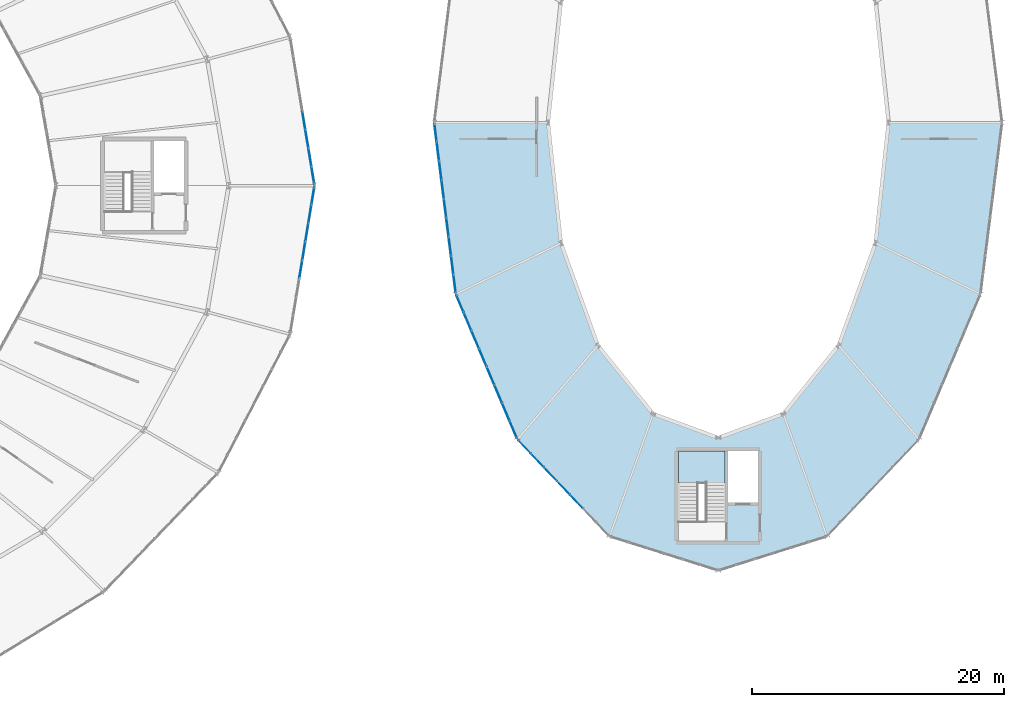
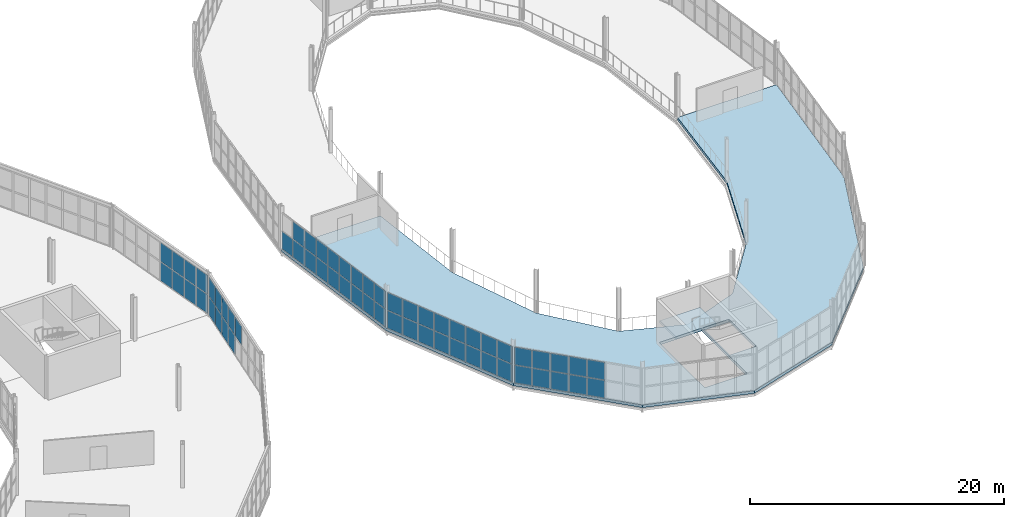
# One storey, part 122 of 161: 60 plates, 2 slabs, 6 elements without a shape of their own.
"""IFC4 building model written with IfcOpenShell, lengths in metres."""

from ifc_helpers import new_model, si_unit, direction, frame, origin, origin_2d, place, context, subcontext, project, spatial, polyline, rectangle, outline, extrude, material, layer, layer_set, type_object, element, aggregate, save


model = new_model("IFC4")

# Units and contexts
model_context = context("Model", 3, precision=1e-05, world=origin(), true_north=direction((0.0, 1.0)))
body_context = subcontext(model_context, "Body", "Model", "MODEL_VIEW")
ifc_project = project(units=[si_unit("LENGTHUNIT", "METRE"), si_unit("AREAUNIT", "SQUARE_METRE"), si_unit("VOLUMEUNIT", "CUBIC_METRE"), si_unit("PLANEANGLEUNIT", "RADIAN"), si_unit("MASSUNIT", "GRAM", prefix="KILO")], contexts=[model_context])

# Site, building, storey
site_placement = place(None, origin())
site = spatial("IfcSite", under=ifc_project, at=site_placement, CompositionType="ELEMENT")
building_placement = place(site_placement, origin())
building = spatial("IfcBuilding", under=site, at=building_placement, Name="Kildeholm Park Wholesale Market", CompositionType="ELEMENT")
storey_placement = place(building_placement, frame((0.0, 0.0, 5.39990234375)))
storey = spatial("IfcBuildingStorey", under=building, at=storey_placement, Name="L01", CompositionType="ELEMENT", Elevation=5.39990234375)

# Curtain wall, plates
ifc_material_1 = material(Name="Anodised aluminium and low-E double-glazed glass", Category="aluminium")
curtain_wall_type = type_object("IfcCurtainWallType", Name="Market hall glazed arcade stick curtain wall CW-01", PredefinedType="NOTDEFINED", material=ifc_material_1)
curtain_wall_1_placement = place(storey_placement, origin())
curtain_wall_1 = element("IfcCurtainWall", 1, at=curtain_wall_1_placement, inside=storey, type_object=curtain_wall_type, Name="Curtain wall CW-V1-OT-00-1 CW-0001", PredefinedType="NOTDEFINED")
ifc_material_2 = material(Name="Double-glazed low-E insulated glass", Category="glass")
ifc_layer_1 = layer(ifc_material_2, 0.028076171875)
ifc_layer_set_1 = layer_set([ifc_layer_1], Name="Double-glazed low-E insulated glass")
plate_type = type_object("IfcPlateType", Name="Curtain-wall panel CWP-1 28 mm", PredefinedType="CURTAIN_PANEL", material=ifc_layer_set_1)
plate_1_placement = place(storey_placement, frame((155.876708984375, 90.287109375, 0.06494140625), z_axis=(0.0, 0.0, 1.0), x_axis=(-0.162702713317, 0.98667513756, 0.0)))
plate_1 = element("IfcPlate", 2, at=plate_1_placement, type_object=plate_type, Name="CW-01 panel 1.1 PLT-0172", PredefinedType="CURTAIN_PANEL", context=body_context, shape_type="SweptSolid", body=[
    extrude(rectangle(XDim=1.384521484375, YDim=0.028076171875, at=origin_2d()), origin(), (0.0, 0.0, 1.0), 1.802490234375),
])
plate_2_placement = place(storey_placement, frame((155.876708984375, 90.287109375, 1.9326171875), z_axis=(0.0, 0.0, 1.0), x_axis=(-0.162702713317, 0.98667513756, 0.0)))
plate_2 = element("IfcPlate", 3, at=plate_2_placement, type_object=plate_type, Name="CW-01 panel 1.2 PLT-0173", PredefinedType="CURTAIN_PANEL", context=body_context, shape_type="SweptSolid", body=[
    extrude(rectangle(XDim=1.384521484375, YDim=0.028076171875, at=origin_2d()), origin(), (0.0, 0.0, 1.0), 1.802490234375),
])
plate_3_placement = place(storey_placement, frame((155.638427734375, 91.7333984375, 0.06494140625), z_axis=(0.0, 0.0, 1.0), x_axis=(-0.162702713317, 0.98667513756, 0.0)))
plate_3 = element("IfcPlate", 4, at=plate_3_placement, type_object=plate_type, Name="CW-01 panel 2.1 PLT-0174", PredefinedType="CURTAIN_PANEL", context=body_context, shape_type="SweptSolid", body=[
    extrude(rectangle(XDim=1.4169921875, YDim=0.028076171875, at=origin_2d()), origin(), (0.0, 0.0, 1.0), 1.802490234375),
])
plate_4_placement = place(storey_placement, frame((155.638427734375, 91.7333984375, 1.9326171875), z_axis=(0.0, 0.0, 1.0), x_axis=(-0.162702713317, 0.98667513756, 0.0)))
plate_4 = element("IfcPlate", 5, at=plate_4_placement, type_object=plate_type, Name="CW-01 panel 2.2 PLT-0175", PredefinedType="CURTAIN_PANEL", context=body_context, shape_type="SweptSolid", body=[
    extrude(rectangle(XDim=1.4169921875, YDim=0.028076171875, at=origin_2d()), origin(), (0.0, 0.0, 1.0), 1.802490234375),
])
plate_5_placement = place(storey_placement, frame((155.397216796875, 93.195556640625, 0.06494140625), z_axis=(0.0, 0.0, 1.0), x_axis=(-0.162702713317, 0.98667513756, 0.0)))
plate_5 = element("IfcPlate", 6, at=plate_5_placement, type_object=plate_type, Name="CW-01 panel 3.1 PLT-0176", PredefinedType="CURTAIN_PANEL", context=body_context, shape_type="SweptSolid", body=[
    extrude(rectangle(XDim=1.4169921875, YDim=0.028076171875, at=origin_2d()), origin(), (0.0, 0.0, 1.0), 1.802490234375),
])
plate_6_placement = place(storey_placement, frame((155.397216796875, 93.195556640625, 1.9326171875), z_axis=(0.0, 0.0, 1.0), x_axis=(-0.162702713317, 0.98667513756, 0.0)))
plate_6 = element("IfcPlate", 7, at=plate_6_placement, type_object=plate_type, Name="CW-01 panel 3.2 PLT-0177", PredefinedType="CURTAIN_PANEL", context=body_context, shape_type="SweptSolid", body=[
    extrude(rectangle(XDim=1.4169921875, YDim=0.028076171875, at=origin_2d()), origin(), (0.0, 0.0, 1.0), 1.802490234375),
])
plate_7_placement = place(storey_placement, frame((155.156005859375, 94.657958984375, 0.06494140625), z_axis=(0.0, 0.0, 1.0), x_axis=(-0.162702713317, 0.98667513756, 0.0)))
plate_7 = element("IfcPlate", 8, at=plate_7_placement, type_object=plate_type, Name="CW-01 panel 4.1 PLT-0178", PredefinedType="CURTAIN_PANEL", context=body_context, shape_type="SweptSolid", body=[
    extrude(rectangle(XDim=1.4169921875, YDim=0.028076171875, at=origin_2d()), origin(), (0.0, 0.0, 1.0), 1.802490234375),
])
plate_8_placement = place(storey_placement, frame((155.156005859375, 94.657958984375, 1.9326171875), z_axis=(0.0, 0.0, 1.0), x_axis=(-0.162702713317, 0.98667513756, 0.0)))
plate_8 = element("IfcPlate", 9, at=plate_8_placement, type_object=plate_type, Name="CW-01 panel 4.2 PLT-0179", PredefinedType="CURTAIN_PANEL", context=body_context, shape_type="SweptSolid", body=[
    extrude(rectangle(XDim=1.4169921875, YDim=0.028076171875, at=origin_2d()), origin(), (0.0, 0.0, 1.0), 1.802490234375),
])
aggregate(curtain_wall_1, [plate_1, plate_2, plate_3, plate_4, plate_5, plate_6, plate_7, plate_8])

curtain_wall_2_placement = place(storey_placement, origin())
curtain_wall_2 = element("IfcCurtainWall", 10, at=curtain_wall_2_placement, inside=storey, type_object=curtain_wall_type, Name="Curtain wall CW-V1-OT-23-1 CW-0114", PredefinedType="NOTDEFINED")
plate_9_placement = place(storey_placement, frame((154.9150390625, 82.8798828125, 1.9326171875), z_axis=(0.0, 0.0, 1.0), x_axis=(0.162702713317, 0.98667513756, 0.0)))
plate_9 = element("IfcPlate", 11, at=plate_9_placement, type_object=plate_type, Name="CW-01 panel 4.2 PLT-1687", PredefinedType="CURTAIN_PANEL", context=body_context, shape_type="SweptSolid", body=[
    extrude(rectangle(XDim=1.4169921875, YDim=0.028076171875, at=origin_2d()), origin(), (0.0, 0.0, 1.0), 1.802490234375),
])
plate_10_placement = place(storey_placement, frame((155.156005859375, 84.342041015625, 0.06494140625), z_axis=(0.0, 0.0, 1.0), x_axis=(0.162702713317, 0.98667513756, 0.0)))
plate_10 = element("IfcPlate", 12, at=plate_10_placement, type_object=plate_type, Name="CW-01 panel 5.1 PLT-1688", PredefinedType="CURTAIN_PANEL", context=body_context, shape_type="SweptSolid", body=[
    extrude(rectangle(XDim=1.4169921875, YDim=0.028076171875, at=origin_2d()), origin(), (0.0, 0.0, 1.0), 1.802490234375),
])
plate_11_placement = place(storey_placement, frame((155.156005859375, 84.342041015625, 1.9326171875), z_axis=(0.0, 0.0, 1.0), x_axis=(0.162702713317, 0.98667513756, 0.0)))
plate_11 = element("IfcPlate", 13, at=plate_11_placement, type_object=plate_type, Name="CW-01 panel 5.2 PLT-1689", PredefinedType="CURTAIN_PANEL", context=body_context, shape_type="SweptSolid", body=[
    extrude(rectangle(XDim=1.4169921875, YDim=0.028076171875, at=origin_2d()), origin(), (0.0, 0.0, 1.0), 1.802490234375),
])
plate_12_placement = place(storey_placement, frame((155.397216796875, 85.804443359375, 0.06494140625), z_axis=(0.0, 0.0, 1.0), x_axis=(0.162702713317, 0.98667513756, 0.0)))
plate_12 = element("IfcPlate", 14, at=plate_12_placement, type_object=plate_type, Name="CW-01 panel 6.1 PLT-1690", PredefinedType="CURTAIN_PANEL", context=body_context, shape_type="SweptSolid", body=[
    extrude(rectangle(XDim=1.4169921875, YDim=0.028076171875, at=origin_2d()), origin(), (0.0, 0.0, 1.0), 1.802490234375),
])
plate_13_placement = place(storey_placement, frame((155.397216796875, 85.804443359375, 1.9326171875), z_axis=(0.0, 0.0, 1.0), x_axis=(0.162702713317, 0.98667513756, 0.0)))
plate_13 = element("IfcPlate", 15, at=plate_13_placement, type_object=plate_type, Name="CW-01 panel 6.2 PLT-1691", PredefinedType="CURTAIN_PANEL", context=body_context, shape_type="SweptSolid", body=[
    extrude(rectangle(XDim=1.4169921875, YDim=0.028076171875, at=origin_2d()), origin(), (0.0, 0.0, 1.0), 1.802490234375),
])
plate_14_placement = place(storey_placement, frame((155.638427734375, 87.2666015625, 0.06494140625), z_axis=(0.0, 0.0, 1.0), x_axis=(0.162702713317, 0.98667513756, 0.0)))
plate_14 = element("IfcPlate", 16, at=plate_14_placement, type_object=plate_type, Name="CW-01 panel 7.1 PLT-1692", PredefinedType="CURTAIN_PANEL", context=body_context, shape_type="SweptSolid", body=[
    extrude(rectangle(XDim=1.4169921875, YDim=0.028076171875, at=origin_2d()), origin(), (0.0, 0.0, 1.0), 1.802490234375),
])
plate_15_placement = place(storey_placement, frame((155.638427734375, 87.2666015625, 1.9326171875), z_axis=(0.0, 0.0, 1.0), x_axis=(0.162702713317, 0.98667513756, 0.0)))
plate_15 = element("IfcPlate", 17, at=plate_15_placement, type_object=plate_type, Name="CW-01 panel 7.2 PLT-1693", PredefinedType="CURTAIN_PANEL", context=body_context, shape_type="SweptSolid", body=[
    extrude(rectangle(XDim=1.4169921875, YDim=0.028076171875, at=origin_2d()), origin(), (0.0, 0.0, 1.0), 1.802490234375),
])
plate_16_placement = place(storey_placement, frame((155.876708984375, 88.712890625, 0.06494140625), z_axis=(0.0, 0.0, 1.0), x_axis=(0.162702713317, 0.98667513756, 0.0)))
plate_16 = element("IfcPlate", 18, at=plate_16_placement, type_object=plate_type, Name="CW-01 panel 8.1 PLT-1694", PredefinedType="CURTAIN_PANEL", context=body_context, shape_type="SweptSolid", body=[
    extrude(rectangle(XDim=1.384521484375, YDim=0.028076171875, at=origin_2d()), origin(), (0.0, 0.0, 1.0), 1.802490234375),
])
plate_17_placement = place(storey_placement, frame((155.876708984375, 88.712890625, 1.9326171875), z_axis=(0.0, 0.0, 1.0), x_axis=(0.162702713317, 0.98667513756, 0.0)))
plate_17 = element("IfcPlate", 19, at=plate_17_placement, type_object=plate_type, Name="CW-01 panel 8.2 PLT-1695", PredefinedType="CURTAIN_PANEL", context=body_context, shape_type="SweptSolid", body=[
    extrude(rectangle(XDim=1.384521484375, YDim=0.028076171875, at=origin_2d()), origin(), (0.0, 0.0, 1.0), 1.802490234375),
])
aggregate(curtain_wall_2, [plate_9, plate_10, plate_11, plate_12, plate_13, plate_14, plate_15, plate_16, plate_17])

curtain_wall_3_placement = place(storey_placement, origin())
curtain_wall_3 = element("IfcCurtainWall", 20, at=curtain_wall_3_placement, inside=storey, type_object=curtain_wall_type, Name="Curtain wall CW-V2-L01-08 CW-0127", PredefinedType="NOTDEFINED")
plate_18_placement = place(storey_placement, frame((165.5966796875, 93.6923828125, 0.06494140625), z_axis=(0.0, 0.0, 1.0), x_axis=(0.12509240377, -0.992145095497, 0.0)))
plate_18 = element("IfcPlate", 21, at=plate_18_placement, type_object=plate_type, Name="CW-01 panel 1.1 PLT-1860", PredefinedType="CURTAIN_PANEL", context=body_context, shape_type="SweptSolid", body=[
    extrude(rectangle(XDim=1.4150390625, YDim=0.028076171875, at=origin_2d()), origin(), (0.0, 0.0, 1.0), 1.677490234375),
])
plate_19_placement = place(storey_placement, frame((165.783935546875, 92.207763671875, 0.06494140625), z_axis=(0.0, 0.0, 1.0), x_axis=(0.12509240377, -0.992145095497, 0.0)))
plate_19 = element("IfcPlate", 22, at=plate_19_placement, type_object=plate_type, Name="CW-01 panel 2.1 PLT-1862", PredefinedType="CURTAIN_PANEL", context=body_context, shape_type="SweptSolid", body=[
    extrude(rectangle(XDim=1.44775390625, YDim=0.028076171875, at=origin_2d()), origin(), (0.0, 0.0, 1.0), 1.677490234375),
])
plate_20_placement = place(storey_placement, frame((165.783935546875, 92.207763671875, 1.8076171875), z_axis=(0.0, 0.0, 1.0), x_axis=(0.12509240377, -0.992145095497, 0.0)))
plate_20 = element("IfcPlate", 23, at=plate_20_placement, type_object=plate_type, Name="CW-01 panel 2.2 PLT-1863", PredefinedType="CURTAIN_PANEL", context=body_context, shape_type="SweptSolid", body=[
    extrude(rectangle(XDim=1.44775390625, YDim=0.028076171875, at=origin_2d()), origin(), (0.0, 0.0, 1.0), 1.677490234375),
])
plate_21_placement = place(storey_placement, frame((165.97314453125, 90.70703125, 0.06494140625), z_axis=(0.0, 0.0, 1.0), x_axis=(0.12509240377, -0.992145095497, 0.0)))
plate_21 = element("IfcPlate", 24, at=plate_21_placement, type_object=plate_type, Name="CW-01 panel 3.1 PLT-1864", PredefinedType="CURTAIN_PANEL", context=body_context, shape_type="SweptSolid", body=[
    extrude(rectangle(XDim=1.44775390625, YDim=0.028076171875, at=origin_2d()), origin(), (0.0, 0.0, 1.0), 1.677490234375),
])
plate_22_placement = place(storey_placement, frame((165.97314453125, 90.70703125, 1.8076171875), z_axis=(0.0, 0.0, 1.0), x_axis=(0.12509240377, -0.992145095497, 0.0)))
plate_22 = element("IfcPlate", 25, at=plate_22_placement, type_object=plate_type, Name="CW-01 panel 3.2 PLT-1865", PredefinedType="CURTAIN_PANEL", context=body_context, shape_type="SweptSolid", body=[
    extrude(rectangle(XDim=1.44775390625, YDim=0.028076171875, at=origin_2d()), origin(), (0.0, 0.0, 1.0), 1.677490234375),
])
plate_23_placement = place(storey_placement, frame((166.162353515625, 89.206298828125, 0.06494140625), z_axis=(0.0, 0.0, 1.0), x_axis=(0.12509240377, -0.992145095497, 0.0)))
plate_23 = element("IfcPlate", 26, at=plate_23_placement, type_object=plate_type, Name="CW-01 panel 4.1 PLT-1866", PredefinedType="CURTAIN_PANEL", context=body_context, shape_type="SweptSolid", body=[
    extrude(rectangle(XDim=1.44775390625, YDim=0.028076171875, at=origin_2d()), origin(), (0.0, 0.0, 1.0), 1.677490234375),
])
plate_24_placement = place(storey_placement, frame((166.162353515625, 89.206298828125, 1.8076171875), z_axis=(0.0, 0.0, 1.0), x_axis=(0.12509240377, -0.992145095497, 0.0)))
plate_24 = element("IfcPlate", 27, at=plate_24_placement, type_object=plate_type, Name="CW-01 panel 4.2 PLT-1867", PredefinedType="CURTAIN_PANEL", context=body_context, shape_type="SweptSolid", body=[
    extrude(rectangle(XDim=1.44775390625, YDim=0.028076171875, at=origin_2d()), origin(), (0.0, 0.0, 1.0), 1.677490234375),
])
plate_25_placement = place(storey_placement, frame((166.3515625, 87.70556640625, 0.06494140625), z_axis=(0.0, 0.0, 1.0), x_axis=(0.12509240377, -0.992145095497, 0.0)))
plate_25 = element("IfcPlate", 28, at=plate_25_placement, type_object=plate_type, Name="CW-01 panel 5.1 PLT-1868", PredefinedType="CURTAIN_PANEL", context=body_context, shape_type="SweptSolid", body=[
    extrude(rectangle(XDim=1.44775390625, YDim=0.028076171875, at=origin_2d()), origin(), (0.0, 0.0, 1.0), 1.677490234375),
])
plate_26_placement = place(storey_placement, frame((166.3515625, 87.70556640625, 1.8076171875), z_axis=(0.0, 0.0, 1.0), x_axis=(0.12509240377, -0.992145095497, 0.0)))
plate_26 = element("IfcPlate", 29, at=plate_26_placement, type_object=plate_type, Name="CW-01 panel 5.2 PLT-1869", PredefinedType="CURTAIN_PANEL", context=body_context, shape_type="SweptSolid", body=[
    extrude(rectangle(XDim=1.44775390625, YDim=0.028076171875, at=origin_2d()), origin(), (0.0, 0.0, 1.0), 1.677490234375),
])
plate_27_placement = place(storey_placement, frame((166.540771484375, 86.204833984375, 0.06494140625), z_axis=(0.0, 0.0, 1.0), x_axis=(0.12509240377, -0.992145095497, 0.0)))
plate_27 = element("IfcPlate", 30, at=plate_27_placement, type_object=plate_type, Name="CW-01 panel 6.1 PLT-1870", PredefinedType="CURTAIN_PANEL", context=body_context, shape_type="SweptSolid", body=[
    extrude(rectangle(XDim=1.44775390625, YDim=0.028076171875, at=origin_2d()), origin(), (0.0, 0.0, 1.0), 1.677490234375),
])
plate_28_placement = place(storey_placement, frame((166.540771484375, 86.204833984375, 1.8076171875), z_axis=(0.0, 0.0, 1.0), x_axis=(0.12509240377, -0.992145095497, 0.0)))
plate_28 = element("IfcPlate", 31, at=plate_28_placement, type_object=plate_type, Name="CW-01 panel 6.2 PLT-1871", PredefinedType="CURTAIN_PANEL", context=body_context, shape_type="SweptSolid", body=[
    extrude(rectangle(XDim=1.44775390625, YDim=0.028076171875, at=origin_2d()), origin(), (0.0, 0.0, 1.0), 1.677490234375),
])
plate_29_placement = place(storey_placement, frame((166.72998046875, 84.703857421875, 0.06494140625), z_axis=(0.0, 0.0, 1.0), x_axis=(0.12509240377, -0.992145095497, 0.0)))
plate_29 = element("IfcPlate", 32, at=plate_29_placement, type_object=plate_type, Name="CW-01 panel 7.1 PLT-1872", PredefinedType="CURTAIN_PANEL", context=body_context, shape_type="SweptSolid", body=[
    extrude(rectangle(XDim=1.44775390625, YDim=0.028076171875, at=origin_2d()), origin(), (0.0, 0.0, 1.0), 1.677490234375),
])
plate_30_placement = place(storey_placement, frame((166.72998046875, 84.703857421875, 1.8076171875), z_axis=(0.0, 0.0, 1.0), x_axis=(0.12509240377, -0.992145095497, 0.0)))
plate_30 = element("IfcPlate", 33, at=plate_30_placement, type_object=plate_type, Name="CW-01 panel 7.2 PLT-1873", PredefinedType="CURTAIN_PANEL", context=body_context, shape_type="SweptSolid", body=[
    extrude(rectangle(XDim=1.44775390625, YDim=0.028076171875, at=origin_2d()), origin(), (0.0, 0.0, 1.0), 1.677490234375),
])
plate_31_placement = place(storey_placement, frame((166.919189453125, 83.203125, 0.06494140625), z_axis=(0.0, 0.0, 1.0), x_axis=(0.12509240377, -0.992145095497, 0.0)))
plate_31 = element("IfcPlate", 34, at=plate_31_placement, type_object=plate_type, Name="CW-01 panel 8.1 PLT-1874", PredefinedType="CURTAIN_PANEL", context=body_context, shape_type="SweptSolid", body=[
    extrude(rectangle(XDim=1.44775390625, YDim=0.028076171875, at=origin_2d()), origin(), (0.0, 0.0, 1.0), 1.677490234375),
])
plate_32_placement = place(storey_placement, frame((166.919189453125, 83.203125, 1.8076171875), z_axis=(0.0, 0.0, 1.0), x_axis=(0.12509240377, -0.992145095497, 0.0)))
plate_32 = element("IfcPlate", 35, at=plate_32_placement, type_object=plate_type, Name="CW-01 panel 8.2 PLT-1875", PredefinedType="CURTAIN_PANEL", context=body_context, shape_type="SweptSolid", body=[
    extrude(rectangle(XDim=1.44775390625, YDim=0.028076171875, at=origin_2d()), origin(), (0.0, 0.0, 1.0), 1.677490234375),
])
plate_33_placement = place(storey_placement, frame((167.1064453125, 81.718505859375, 0.06494140625), z_axis=(0.0, 0.0, 1.0), x_axis=(0.12509240377, -0.992145095497, 0.0)))
plate_33 = element("IfcPlate", 36, at=plate_33_placement, type_object=plate_type, Name="CW-01 panel 9.1 PLT-1876", PredefinedType="CURTAIN_PANEL", context=body_context, shape_type="SweptSolid", body=[
    extrude(rectangle(XDim=1.4150390625, YDim=0.028076171875, at=origin_2d()), origin(), (0.0, 0.0, 1.0), 1.677490234375),
])
plate_34_placement = place(storey_placement, frame((167.1064453125, 81.718505859375, 1.8076171875), z_axis=(0.0, 0.0, 1.0), x_axis=(0.12509240377, -0.992145095497, 0.0)))
plate_34 = element("IfcPlate", 37, at=plate_34_placement, type_object=plate_type, Name="CW-01 panel 9.2 PLT-1877", PredefinedType="CURTAIN_PANEL", context=body_context, shape_type="SweptSolid", body=[
    extrude(rectangle(XDim=1.4150390625, YDim=0.028076171875, at=origin_2d()), origin(), (0.0, 0.0, 1.0), 1.677490234375),
])
aggregate(curtain_wall_3, [plate_18, plate_19, plate_20, plate_21, plate_22, plate_23, plate_24, plate_25, plate_26, plate_27, plate_28, plate_29, plate_30, plate_31, plate_32, plate_33, plate_34])

curtain_wall_4_placement = place(storey_placement, origin())
curtain_wall_4 = element("IfcCurtainWall", 38, at=curtain_wall_4_placement, inside=storey, type_object=curtain_wall_type, Name="Curtain wall CW-V2-L01-09 CW-0128", PredefinedType="NOTDEFINED")
plate_35_placement = place(storey_placement, frame((167.533203125, 80.143798828125, 0.06494140625), z_axis=(0.0, 0.0, 1.0), x_axis=(0.389905076002, -0.920855054668, 0.0)))
plate_35 = element("IfcPlate", 39, at=plate_35_placement, type_object=plate_type, Name="CW-01 panel 1.1 PLT-1878", PredefinedType="CURTAIN_PANEL", context=body_context, shape_type="SweptSolid", body=[
    extrude(rectangle(XDim=1.4560546875, YDim=0.028076171875, at=origin_2d()), origin(), (0.0, 0.0, 1.0), 1.677490234375),
])
plate_36_placement = place(storey_placement, frame((167.533203125, 80.143798828125, 1.8076171875), z_axis=(0.0, 0.0, 1.0), x_axis=(0.389905076002, -0.920855054668, 0.0)))
plate_36 = element("IfcPlate", 40, at=plate_36_placement, type_object=plate_type, Name="CW-01 panel 1.2 PLT-1879", PredefinedType="CURTAIN_PANEL", context=body_context, shape_type="SweptSolid", body=[
    extrude(rectangle(XDim=1.4560546875, YDim=0.028076171875, at=origin_2d()), origin(), (0.0, 0.0, 1.0), 1.677490234375),
])
plate_37_placement = place(storey_placement, frame((168.132568359375, 78.72802734375, 0.06494140625), z_axis=(0.0, 0.0, 1.0), x_axis=(0.389905076002, -0.920855054668, 0.0)))
plate_37 = element("IfcPlate", 41, at=plate_37_placement, type_object=plate_type, Name="CW-01 panel 2.1 PLT-1880", PredefinedType="CURTAIN_PANEL", context=body_context, shape_type="SweptSolid", body=[
    extrude(rectangle(XDim=1.488525390625, YDim=0.028076171875, at=origin_2d()), origin(), (0.0, 0.0, 1.0), 1.677490234375),
])
plate_38_placement = place(storey_placement, frame((168.132568359375, 78.72802734375, 1.8076171875), z_axis=(0.0, 0.0, 1.0), x_axis=(0.389905076002, -0.920855054668, 0.0)))
plate_38 = element("IfcPlate", 42, at=plate_38_placement, type_object=plate_type, Name="CW-01 panel 2.2 PLT-1881", PredefinedType="CURTAIN_PANEL", context=body_context, shape_type="SweptSolid", body=[
    extrude(rectangle(XDim=1.488525390625, YDim=0.028076171875, at=origin_2d()), origin(), (0.0, 0.0, 1.0), 1.677490234375),
])
plate_39_placement = place(storey_placement, frame((168.73828125, 77.29736328125, 0.06494140625), z_axis=(0.0, 0.0, 1.0), x_axis=(0.389905076002, -0.920855054668, 0.0)))
plate_39 = element("IfcPlate", 43, at=plate_39_placement, type_object=plate_type, Name="CW-01 panel 3.1 PLT-1882", PredefinedType="CURTAIN_PANEL", context=body_context, shape_type="SweptSolid", body=[
    extrude(rectangle(XDim=1.488525390625, YDim=0.028076171875, at=origin_2d()), origin(), (0.0, 0.0, 1.0), 1.677490234375),
])
plate_40_placement = place(storey_placement, frame((168.73828125, 77.29736328125, 1.8076171875), z_axis=(0.0, 0.0, 1.0), x_axis=(0.389905076002, -0.920855054668, 0.0)))
plate_40 = element("IfcPlate", 44, at=plate_40_placement, type_object=plate_type, Name="CW-01 panel 3.2 PLT-1883", PredefinedType="CURTAIN_PANEL", context=body_context, shape_type="SweptSolid", body=[
    extrude(rectangle(XDim=1.488525390625, YDim=0.028076171875, at=origin_2d()), origin(), (0.0, 0.0, 1.0), 1.677490234375),
])
plate_41_placement = place(storey_placement, frame((169.34423828125, 75.86669921875, 0.06494140625), z_axis=(0.0, 0.0, 1.0), x_axis=(0.389905076002, -0.920855054668, 0.0)))
plate_41 = element("IfcPlate", 45, at=plate_41_placement, type_object=plate_type, Name="CW-01 panel 4.1 PLT-1884", PredefinedType="CURTAIN_PANEL", context=body_context, shape_type="SweptSolid", body=[
    extrude(rectangle(XDim=1.488525390625, YDim=0.028076171875, at=origin_2d()), origin(), (0.0, 0.0, 1.0), 1.677490234375),
])
plate_42_placement = place(storey_placement, frame((169.34423828125, 75.86669921875, 1.8076171875), z_axis=(0.0, 0.0, 1.0), x_axis=(0.389905076002, -0.920855054668, 0.0)))
plate_42 = element("IfcPlate", 46, at=plate_42_placement, type_object=plate_type, Name="CW-01 panel 4.2 PLT-1885", PredefinedType="CURTAIN_PANEL", context=body_context, shape_type="SweptSolid", body=[
    extrude(rectangle(XDim=1.488525390625, YDim=0.028076171875, at=origin_2d()), origin(), (0.0, 0.0, 1.0), 1.677490234375),
])
plate_43_placement = place(storey_placement, frame((169.949951171875, 74.436279296875, 0.06494140625), z_axis=(0.0, 0.0, 1.0), x_axis=(0.389905076002, -0.920855054668, 0.0)))
plate_43 = element("IfcPlate", 47, at=plate_43_placement, type_object=plate_type, Name="CW-01 panel 5.1 PLT-1886", PredefinedType="CURTAIN_PANEL", context=body_context, shape_type="SweptSolid", body=[
    extrude(rectangle(XDim=1.488525390625, YDim=0.028076171875, at=origin_2d()), origin(), (0.0, 0.0, 1.0), 1.677490234375),
])
plate_44_placement = place(storey_placement, frame((169.949951171875, 74.436279296875, 1.8076171875), z_axis=(0.0, 0.0, 1.0), x_axis=(0.389905076002, -0.920855054668, 0.0)))
plate_44 = element("IfcPlate", 48, at=plate_44_placement, type_object=plate_type, Name="CW-01 panel 5.2 PLT-1887", PredefinedType="CURTAIN_PANEL", context=body_context, shape_type="SweptSolid", body=[
    extrude(rectangle(XDim=1.488525390625, YDim=0.028076171875, at=origin_2d()), origin(), (0.0, 0.0, 1.0), 1.677490234375),
])
plate_45_placement = place(storey_placement, frame((170.5556640625, 73.005615234375, 0.06494140625), z_axis=(0.0, 0.0, 1.0), x_axis=(0.389905076002, -0.920855054668, 0.0)))
plate_45 = element("IfcPlate", 49, at=plate_45_placement, type_object=plate_type, Name="CW-01 panel 6.1 PLT-1888", PredefinedType="CURTAIN_PANEL", context=body_context, shape_type="SweptSolid", body=[
    extrude(rectangle(XDim=1.488525390625, YDim=0.028076171875, at=origin_2d()), origin(), (0.0, 0.0, 1.0), 1.677490234375),
])
plate_46_placement = place(storey_placement, frame((170.5556640625, 73.005615234375, 1.8076171875), z_axis=(0.0, 0.0, 1.0), x_axis=(0.389905076002, -0.920855054668, 0.0)))
plate_46 = element("IfcPlate", 50, at=plate_46_placement, type_object=plate_type, Name="CW-01 panel 6.2 PLT-1889", PredefinedType="CURTAIN_PANEL", context=body_context, shape_type="SweptSolid", body=[
    extrude(rectangle(XDim=1.488525390625, YDim=0.028076171875, at=origin_2d()), origin(), (0.0, 0.0, 1.0), 1.677490234375),
])
plate_47_placement = place(storey_placement, frame((171.161376953125, 71.574951171875, 0.06494140625), z_axis=(0.0, 0.0, 1.0), x_axis=(0.389905076002, -0.920855054668, 0.0)))
plate_47 = element("IfcPlate", 51, at=plate_47_placement, type_object=plate_type, Name="CW-01 panel 7.1 PLT-1890", PredefinedType="CURTAIN_PANEL", context=body_context, shape_type="SweptSolid", body=[
    extrude(rectangle(XDim=1.488525390625, YDim=0.028076171875, at=origin_2d()), origin(), (0.0, 0.0, 1.0), 1.677490234375),
])
plate_48_placement = place(storey_placement, frame((171.161376953125, 71.574951171875, 1.8076171875), z_axis=(0.0, 0.0, 1.0), x_axis=(0.389905076002, -0.920855054668, 0.0)))
plate_48 = element("IfcPlate", 52, at=plate_48_placement, type_object=plate_type, Name="CW-01 panel 7.2 PLT-1891", PredefinedType="CURTAIN_PANEL", context=body_context, shape_type="SweptSolid", body=[
    extrude(rectangle(XDim=1.488525390625, YDim=0.028076171875, at=origin_2d()), origin(), (0.0, 0.0, 1.0), 1.677490234375),
])
plate_49_placement = place(storey_placement, frame((171.7607421875, 70.1591796875, 0.06494140625), z_axis=(0.0, 0.0, 1.0), x_axis=(0.389905076002, -0.920855054668, 0.0)))
plate_49 = element("IfcPlate", 53, at=plate_49_placement, type_object=plate_type, Name="CW-01 panel 8.1 PLT-1892", PredefinedType="CURTAIN_PANEL", context=body_context, shape_type="SweptSolid", body=[
    extrude(rectangle(XDim=1.4560546875, YDim=0.028076171875, at=origin_2d()), origin(), (0.0, 0.0, 1.0), 1.677490234375),
])
plate_50_placement = place(storey_placement, frame((171.7607421875, 70.1591796875, 1.8076171875), z_axis=(0.0, 0.0, 1.0), x_axis=(0.389905076002, -0.920855054668, 0.0)))
plate_50 = element("IfcPlate", 54, at=plate_50_placement, type_object=plate_type, Name="CW-01 panel 8.2 PLT-1893", PredefinedType="CURTAIN_PANEL", context=body_context, shape_type="SweptSolid", body=[
    extrude(rectangle(XDim=1.4560546875, YDim=0.028076171875, at=origin_2d()), origin(), (0.0, 0.0, 1.0), 1.677490234375),
])
aggregate(curtain_wall_4, [plate_35, plate_36, plate_37, plate_38, plate_39, plate_40, plate_41, plate_42, plate_43, plate_44, plate_45, plate_46, plate_47, plate_48, plate_49, plate_50])

curtain_wall_5_placement = place(storey_placement, origin())
curtain_wall_5 = element("IfcCurtainWall", 55, at=curtain_wall_5_placement, inside=storey, type_object=curtain_wall_type, Name="Curtain wall CW-V2-L01-10 CW-0129", PredefinedType="NOTDEFINED")
plate_51_placement = place(storey_placement, frame((172.642578125, 68.803466796875, 0.06494140625), z_axis=(0.0, 0.0, 1.0), x_axis=(0.688147627866, -0.725570701078, 0.0)))
plate_51 = element("IfcPlate", 56, at=plate_51_placement, type_object=plate_type, Name="CW-01 panel 1.1 PLT-1894", PredefinedType="CURTAIN_PANEL", context=body_context, shape_type="SweptSolid", body=[
    extrude(rectangle(XDim=1.406494140625, YDim=0.028076171875, at=origin_2d()), origin(), (0.0, 0.0, 1.0), 1.677490234375),
])
plate_52_placement = place(storey_placement, frame((172.642578125, 68.803466796875, 1.8076171875), z_axis=(0.0, 0.0, 1.0), x_axis=(0.688147627866, -0.725570701078, 0.0)))
plate_52 = element("IfcPlate", 57, at=plate_52_placement, type_object=plate_type, Name="CW-01 panel 1.2 PLT-1895", PredefinedType="CURTAIN_PANEL", context=body_context, shape_type="SweptSolid", body=[
    extrude(rectangle(XDim=1.406494140625, YDim=0.028076171875, at=origin_2d()), origin(), (0.0, 0.0, 1.0), 1.677490234375),
])
plate_53_placement = place(storey_placement, frame((173.66650390625, 67.72412109375, 0.06494140625), z_axis=(0.0, 0.0, 1.0), x_axis=(0.688147627866, -0.725570701078, 0.0)))
plate_53 = element("IfcPlate", 58, at=plate_53_placement, type_object=plate_type, Name="CW-01 panel 2.1 PLT-1896", PredefinedType="CURTAIN_PANEL", context=body_context, shape_type="SweptSolid", body=[
    extrude(rectangle(XDim=1.43896484375, YDim=0.028076171875, at=origin_2d()), origin(), (0.0, 0.0, 1.0), 1.677490234375),
])
plate_54_placement = place(storey_placement, frame((173.66650390625, 67.72412109375, 1.8076171875), z_axis=(0.0, 0.0, 1.0), x_axis=(0.688147627866, -0.725570701078, 0.0)))
plate_54 = element("IfcPlate", 59, at=plate_54_placement, type_object=plate_type, Name="CW-01 panel 2.2 PLT-1897", PredefinedType="CURTAIN_PANEL", context=body_context, shape_type="SweptSolid", body=[
    extrude(rectangle(XDim=1.43896484375, YDim=0.028076171875, at=origin_2d()), origin(), (0.0, 0.0, 1.0), 1.677490234375),
])
plate_55_placement = place(storey_placement, frame((174.701416015625, 66.6328125, 0.06494140625), z_axis=(0.0, 0.0, 1.0), x_axis=(0.688147627866, -0.725570701078, 0.0)))
plate_55 = element("IfcPlate", 60, at=plate_55_placement, type_object=plate_type, Name="CW-01 panel 3.1 PLT-1898", PredefinedType="CURTAIN_PANEL", context=body_context, shape_type="SweptSolid", body=[
    extrude(rectangle(XDim=1.43896484375, YDim=0.028076171875, at=origin_2d()), origin(), (0.0, 0.0, 1.0), 1.677490234375),
])
plate_56_placement = place(storey_placement, frame((174.701416015625, 66.6328125, 1.8076171875), z_axis=(0.0, 0.0, 1.0), x_axis=(0.688147627866, -0.725570701078, 0.0)))
plate_56 = element("IfcPlate", 61, at=plate_56_placement, type_object=plate_type, Name="CW-01 panel 3.2 PLT-1899", PredefinedType="CURTAIN_PANEL", context=body_context, shape_type="SweptSolid", body=[
    extrude(rectangle(XDim=1.43896484375, YDim=0.028076171875, at=origin_2d()), origin(), (0.0, 0.0, 1.0), 1.677490234375),
])
plate_57_placement = place(storey_placement, frame((175.736572265625, 65.54150390625, 0.06494140625), z_axis=(0.0, 0.0, 1.0), x_axis=(0.688147627866, -0.725570701078, 0.0)))
plate_57 = element("IfcPlate", 62, at=plate_57_placement, type_object=plate_type, Name="CW-01 panel 4.1 PLT-1900", PredefinedType="CURTAIN_PANEL", context=body_context, shape_type="SweptSolid", body=[
    extrude(rectangle(XDim=1.43896484375, YDim=0.028076171875, at=origin_2d()), origin(), (0.0, 0.0, 1.0), 1.677490234375),
])
plate_58_placement = place(storey_placement, frame((175.736572265625, 65.54150390625, 1.8076171875), z_axis=(0.0, 0.0, 1.0), x_axis=(0.688147627866, -0.725570701078, 0.0)))
plate_58 = element("IfcPlate", 63, at=plate_58_placement, type_object=plate_type, Name="CW-01 panel 4.2 PLT-1901", PredefinedType="CURTAIN_PANEL", context=body_context, shape_type="SweptSolid", body=[
    extrude(rectangle(XDim=1.43896484375, YDim=0.028076171875, at=origin_2d()), origin(), (0.0, 0.0, 1.0), 1.677490234375),
])
plate_59_placement = place(storey_placement, frame((176.771484375, 64.4501953125, 0.06494140625), z_axis=(0.0, 0.0, 1.0), x_axis=(0.688147627866, -0.725570701078, 0.0)))
plate_59 = element("IfcPlate", 64, at=plate_59_placement, type_object=plate_type, Name="CW-01 panel 5.1 PLT-1902", PredefinedType="CURTAIN_PANEL", context=body_context, shape_type="SweptSolid", body=[
    extrude(rectangle(XDim=1.43896484375, YDim=0.028076171875, at=origin_2d()), origin(), (0.0, 0.0, 1.0), 1.677490234375),
])
plate_60_placement = place(storey_placement, frame((176.771484375, 64.4501953125, 1.8076171875), z_axis=(0.0, 0.0, 1.0), x_axis=(0.688147627866, -0.725570701078, 0.0)))
plate_60 = element("IfcPlate", 65, at=plate_60_placement, type_object=plate_type, Name="CW-01 panel 5.2 PLT-1903", PredefinedType="CURTAIN_PANEL", context=body_context, shape_type="SweptSolid", body=[
    extrude(rectangle(XDim=1.43896484375, YDim=0.028076171875, at=origin_2d()), origin(), (0.0, 0.0, 1.0), 1.677490234375),
])
aggregate(curtain_wall_5, [plate_51, plate_52, plate_53, plate_54, plate_55, plate_56, plate_57, plate_58, plate_59, plate_60])

# Slab
ifc_material_3 = material(Name="Concrete C35/45", Category="concrete")
ifc_layer_2 = layer(ifc_material_3, 0.260009765625)
ifc_layer_set_2 = layer_set([ifc_layer_2], Name="Concrete C35/45")
slab_type_1 = type_object("IfcSlabType", Name="Slab S-FL5 260 mm", PredefinedType="FLOOR", material=ifc_layer_set_2)
slab_1_placement = place(storey_placement, frame((0.0, 0.0, -0.260009765625)))
element("IfcSlab", 66, at=slab_1_placement, inside=storey, type_object=slab_type_1, Name="Fish and flower hall L01 gallery slab S SLB-0305", PredefinedType="FLOOR", context=body_context, shape_type="SweptSolid", body=[
    extrude(outline(polyline([(174.5, 94.5), (175.528076171875, 84.93310546875), (178.4541015625, 76.822021484375), (182.833984375, 71.403076171875), (188.0, 69.5), (193.166015625, 71.403076171875), (197.5458984375, 76.822021484375), (200.471923828125, 84.93310546875), (201.5, 94.5), (210.5, 94.5), (208.787109375, 80.9150390625), (203.909912109375, 69.39794921875), (196.610107421875, 61.701904296875), (188.0, 59.0), (179.389892578125, 61.701904296875), (172.090087890625, 69.39794921875), (167.212890625, 80.9150390625), (165.5, 94.5), (174.5, 94.5)]), holes=[polyline([(188.679931640625, 68.47998046875), (184.820068359375, 68.47998046875), (184.820068359375, 61.320068359375), (188.679931640625, 61.320068359375), (188.679931640625, 68.47998046875)]), polyline([(191.179931640625, 64.219970703125), (191.179931640625, 68.47998046875), (188.780029296875, 68.47998046875), (188.780029296875, 64.219970703125), (191.179931640625, 64.219970703125)])]), origin(), (0.0, 0.0, 1.0), 0.260009765625),
])

# Stair, slab
stair_type = type_object("IfcStairType", Name="Protected upper core escape stair ST-CR2", PredefinedType="HALF_TURN_STAIR", material=ifc_material_3)
stair_placement = place(storey_placement, origin())
stair = element("IfcStair", 67, at=stair_placement, inside=storey, type_object=stair_type, Name="Escape stair C12 L01 STR-0029", PredefinedType="HALF_TURN_STAIR")
ifc_layer_3 = layer(ifc_material_3, 0.239990234375)
ifc_layer_set_3 = layer_set([ifc_layer_3], Name="Concrete C35/45")
slab_type_2 = type_object("IfcSlabType", Name="Stair landing slab S-LD1 240 mm", PredefinedType="LANDING", material=ifc_layer_set_3)
slab_2_placement = place(storey_placement, frame((0.0, 0.0, 1.860107421875)))
slab_2 = element("IfcSlab", 68, at=slab_2_placement, type_object=slab_type_2, Name="ST-12-01 landing 1 SLB-0474", PredefinedType="LANDING", context=body_context, shape_type="SweptSolid", body=[
    extrude(outline(polyline([(184.85009765625, 65.9150390625), (188.530029296875, 65.93505859375), (188.530029296875, 68.449951171875), (184.85009765625, 68.449951171875), (184.85009765625, 65.9150390625)])), origin(), (0.0, 0.0, 1.0), 0.239990234375),
])
aggregate(stair, [slab_2])

save(model, "model.ifc")
